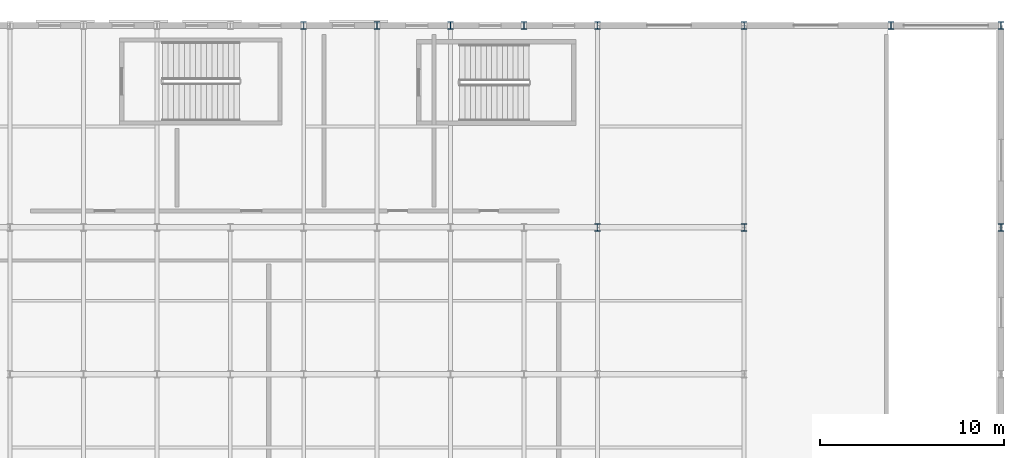
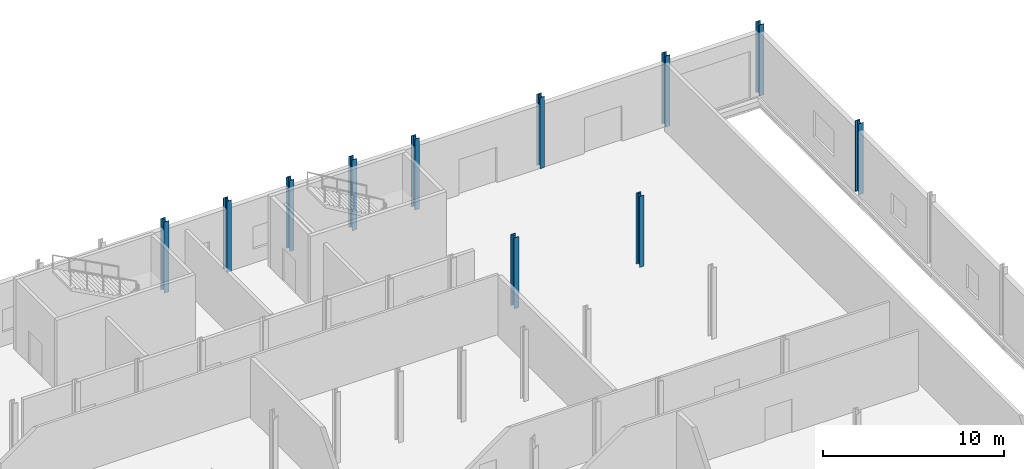
# One storey, part 27 of 101: 11 columns.
"""IFC4 building model written with IfcOpenShell, lengths in metres."""

from ifc_helpers import new_model, si_unit, derived_unit, direction, frame, origin, origin_2d, place, context, subcontext, project, spatial, i_section, extrude, material, material_profile, profile_set, type_object, element, save


model = new_model("IFC4")

# Units and contexts
model_context = context("Model", 3, precision=1e-05, world=origin(), true_north=direction((0.0, 1.0)))
body_context = subcontext(model_context, "Body", "Model", "MODEL_VIEW")
ifc_project = project(units=[si_unit("LENGTHUNIT", "METRE"), si_unit("AREAUNIT", "SQUARE_METRE"), si_unit("VOLUMEUNIT", "CUBIC_METRE"), si_unit("PLANEANGLEUNIT", "RADIAN"), si_unit("MASSUNIT", "GRAM", prefix="KILO"), derived_unit("THERMALTRANSMITTANCEUNIT", [(si_unit("POWERUNIT", "WATT"), 1), (si_unit("LENGTHUNIT", "METRE"), -2), (si_unit("THERMODYNAMICTEMPERATUREUNIT", "KELVIN"), -1)])], contexts=[model_context])

# Site, building, storey
site_placement = place(None, origin())
site = spatial("IfcSite", under=ifc_project, at=site_placement, CompositionType="ELEMENT")
building_placement = place(site_placement, origin())
building = spatial("IfcBuilding", under=site, at=building_placement, Name="Keldorne Ridge Multi-Sports Centre", CompositionType="ELEMENT")
storey_placement = place(building_placement, origin())
storey = spatial("IfcBuildingStorey", under=building, at=storey_placement, Name="L00", CompositionType="ELEMENT", Elevation=0.0)

# Columns
ifc_material = material(Name="Steel S355", Category="steel")
ifc_material_profile = material_profile(ifc_material, i_section(OverallWidth=0.300048828125, OverallDepth=0.39990234375, WebThickness=0.013427734375, FlangeThickness=0.02392578125, FilletRadius=0.027099609375, at=origin_2d()), Name="HEB 400")
ifc_profile_set = profile_set([ifc_material_profile], Name="Steel S355")
column_type = type_object("IfcColumnType", Name="COL-C-09", PredefinedType="COLUMN", material=ifc_profile_set)
for number, where, z_axis, x_axis, name in (
    (1, (136.0, 117.0, 0.0), (0.0, 0.0, 1.0), (1.0, 0.0, 0.0), "Structural column V5-C-07-07 on L00"),
    (2, (140.0, 117.0, 0.0), (0.0, 0.0, 1.0), (1.0, 0.0, 0.0), "Structural column V5-C-08-07 on L00"),
    (3, (144.0, 117.0, 0.0), (0.0, 0.0, 1.0), (1.0, 0.0, 0.0), "Structural column V5-C-09-07 on L00"),
    (4, (148.0, 117.0, 0.0), (0.0, 0.0, 1.0), (1.0, 0.0, 0.0), "Structural column V5-C-10-07 on L00"),
    (5, (152.0, 106.0, 0.0), (0.0, 0.0, 1.0), (1.0, 0.0, 0.0), "Structural column V5-C-11-06 on L00"),
    (6, (152.0, 117.0, 0.0), (0.0, 0.0, 1.0), (1.0, 0.0, 0.0), "Structural column V5-C-11-07 on L00"),
    (7, (160.0, 106.0, 0.0), (0.0, 0.0, 1.0), (1.0, 0.0, 0.0), "Structural column V5-C-12-06 on L00"),
    (8, (160.0, 117.0, 0.0), (0.0, 0.0, 1.0), (1.0, 0.0, 0.0), "Structural column V5-C-12-07 on L00"),
    (9, (168.0, 117.0, 0.0), (0.0, 0.0, 1.0), (1.0, 0.0, 0.0), "Structural column V5-C-13-07 on L00"),
    (10, (174.0, 106.0, 0.0), (0.0, 0.0, 1.0), (1.0, 0.0, 0.0), "Structural column V5-C-14-06 on L00"),
    (11, (174.0, 117.0, 0.0), (0.0, 0.0, 1.0), (1.0, 0.0, 0.0), "Structural column V5-C-14-07 on L00"),
):
    element("IfcColumn", number, at=place(storey_placement, frame(where, z_axis=z_axis, x_axis=x_axis)), inside=storey, type_object=column_type, Name=name, PredefinedType="COLUMN", context=body_context, shape_type="SweptSolid", body=[
        extrude(i_section(OverallWidth=0.300048828125, OverallDepth=0.39990234375, WebThickness=0.013427734375, FlangeThickness=0.02392578125, FilletRadius=0.027099609375, at=origin_2d()), origin(), (0.0, 0.0, 1.0), 4.800048828125),
    ])

save(model, "model.ifc")
